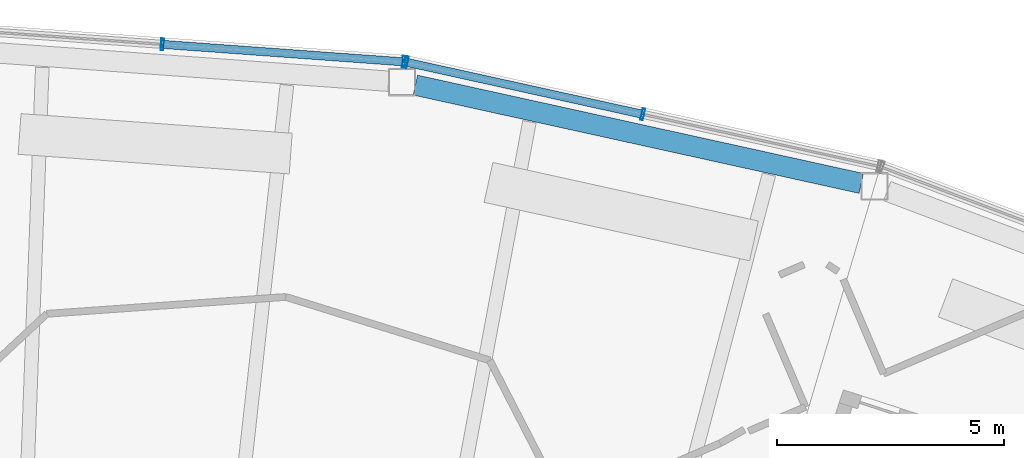
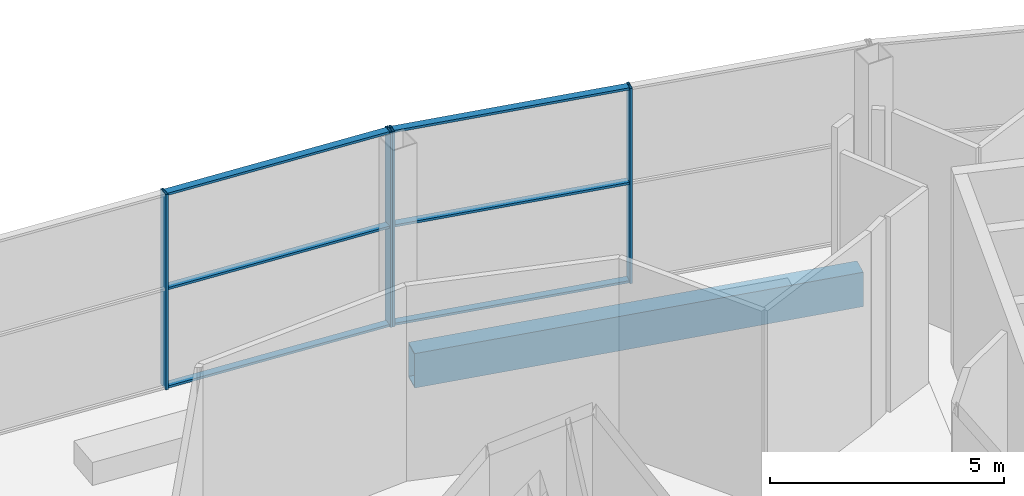
# One storey, part 29 of 43: 10 members, 1 beam, 2 elements without a shape of their own.
"""IFC4 building model written with IfcOpenShell, lengths in metres."""

from ifc_helpers import new_model, si_unit, direction, frame, origin, origin_2d, place, context, subcontext, project, spatial, hollow_rectangle, extrude, material, layer, layer_set, material_profile, profile_set, type_object, element, aggregate, save


model = new_model("IFC4")

# Units and contexts
model_context = context("Model", 3, precision=1e-05, world=origin(), true_north=direction((0.0, 1.0)))
body_context = subcontext(model_context, "Body", "Model", "MODEL_VIEW")
ifc_project = project(units=[si_unit("LENGTHUNIT", "METRE"), si_unit("AREAUNIT", "SQUARE_METRE"), si_unit("VOLUMEUNIT", "CUBIC_METRE"), si_unit("PLANEANGLEUNIT", "RADIAN"), si_unit("MASSUNIT", "GRAM", prefix="KILO")], contexts=[model_context])

# Site, building, storey
site_placement = place(None, origin())
site = spatial("IfcSite", under=ifc_project, at=site_placement, CompositionType="ELEMENT")
building_placement = place(site_placement, origin())
building = spatial("IfcBuilding", under=site, at=building_placement, Name="Tuul Gate Civic Tower", CompositionType="ELEMENT")
storey_placement = place(building_placement, frame((0.0, 0.0, 349.10009765625)))
storey = spatial("IfcBuildingStorey", under=building, at=storey_placement, Name="Observation level 1", CompositionType="ELEMENT", Elevation=349.10009765625)

# Curtain wall, members
ifc_material_1 = material(Name="Stainless steel", Category="steel")
ifc_layer = layer(ifc_material_1, 0.199951171875)
ifc_layer_set = layer_set([ifc_layer], Name="Stainless steel")
curtain_wall_type = type_object("IfcCurtainWallType", Name="Curtain wall CW4", PredefinedType="NOTDEFINED", material=ifc_layer_set)
curtain_wall_1_placement = place(storey_placement, origin())
curtain_wall_1 = element("IfcCurtainWall", 1, at=curtain_wall_1_placement, inside=storey, type_object=curtain_wall_type, Name="Curtain wall CW4", PredefinedType="NOTDEFINED")
ifc_material_2 = material(Name="Stainless steel", Category="steel")
ifc_material_profile_1 = material_profile(ifc_material_2, hollow_rectangle(XDim=0.260009765625, YDim=0.06005859375, WallThickness=0.006103515625, at=origin_2d()), Name="CW4 mullion")
ifc_profile_set_1 = profile_set([ifc_material_profile_1], Name="Stainless steel")
member_type_1 = type_object("IfcMemberType", Name="CW4 mullion", PredefinedType="MULLION", material=ifc_profile_set_1)
member_1_placement = place(storey_placement, frame((18.151611328125, 12.346923828125, 0.0), z_axis=(0.0, 0.0, 1.0), x_axis=(-0.215215147882, -0.976566659334, 0.0)))
member_1 = element("IfcMember", 2, at=member_1_placement, type_object=member_type_1, Name="Mullion", PredefinedType="MULLION", context=body_context, shape_type="SweptSolid", body=[
    extrude(hollow_rectangle(XDim=0.260009765625, YDim=0.06005859375, WallThickness=0.006103515625, at=origin_2d()), origin(), (0.0, 0.0, 1.0), 5.099853515625),
])
member_2_placement = place(storey_placement, frame((12.935302734375, 13.49658203125, 0.0), z_axis=(0.0, 0.0, 1.0), x_axis=(-0.215215147882, -0.976566659334, 0.0)))
member_2 = element("IfcMember", 3, at=member_2_placement, type_object=member_type_1, Name="Mullion", PredefinedType="MULLION", context=body_context, shape_type="SweptSolid", body=[
    extrude(hollow_rectangle(XDim=0.260009765625, YDim=0.06005859375, WallThickness=0.006103515625, at=origin_2d()), origin(), (0.0, 0.0, 1.0), 5.099853515625),
])

curtain_wall_2_placement = place(storey_placement, origin())
curtain_wall_2 = element("IfcCurtainWall", 4, at=curtain_wall_2_placement, inside=storey, type_object=curtain_wall_type, Name="Curtain wall CW4", PredefinedType="NOTDEFINED")
member_3_placement = place(storey_placement, frame((12.8759765625, 13.505126953125, 0.0), z_axis=(0.0, 0.0, 1.0), x_axis=(-0.07223936563, -0.997387323989, 0.0)))
member_3 = element("IfcMember", 5, at=member_3_placement, type_object=member_type_1, Name="Mullion", PredefinedType="MULLION", context=body_context, shape_type="SweptSolid", body=[
    extrude(hollow_rectangle(XDim=0.260009765625, YDim=0.06005859375, WallThickness=0.006103515625, at=origin_2d()), origin(), (0.0, 0.0, 1.0), 5.099853515625),
])
member_4_placement = place(storey_placement, frame((7.549072265625, 13.89111328125, 0.0), z_axis=(0.0, 0.0, 1.0), x_axis=(-0.07223936563, -0.997387323989, 0.0)))
member_4 = element("IfcMember", 6, at=member_4_placement, type_object=member_type_1, Name="Mullion", PredefinedType="MULLION", context=body_context, shape_type="SweptSolid", body=[
    extrude(hollow_rectangle(XDim=0.260009765625, YDim=0.06005859375, WallThickness=0.006103515625, at=origin_2d()), origin(), (0.0, 0.0, 1.0), 5.099853515625),
])

# Member
ifc_material_3 = material(Name="Stainless steel", Category="steel")
ifc_material_profile_2 = material_profile(ifc_material_3, hollow_rectangle(XDim=0.179931640625, YDim=0.06005859375, WallThickness=0.006103515625, at=origin_2d()), Name="CW4 transom")
ifc_profile_set_2 = profile_set([ifc_material_profile_2], Name="Stainless steel")
member_type_2 = type_object("IfcMemberType", Name="CW4 transom", PredefinedType="USERDEFINED", material=ifc_profile_set_2)
member_5_placement = place(storey_placement, frame((18.122314453125, 12.353515625, 0.02978515625), z_axis=(-0.976573796049, 0.215182761555, 0.0), x_axis=(-0.215182761555, -0.976573796049, 0.0)))
member_5 = element("IfcMember", 7, at=member_5_placement, type_object=member_type_2, Name="Transom", ObjectType="TRANSOM", PredefinedType="USERDEFINED", context=body_context, shape_type="SweptSolid", body=[
    extrude(hollow_rectangle(XDim=0.179931640625, YDim=0.06005859375, WallThickness=0.006103515625, at=origin_2d()), origin(), (0.0, 0.0, 1.0), 5.281494140625),
])

member_6_placement = place(storey_placement, frame((18.122314453125, 12.353515625, 2.599853515625), z_axis=(-0.976573796049, 0.215182761555, 0.0), x_axis=(-0.215182761555, -0.976573796049, 0.0)))
member_6 = element("IfcMember", 8, at=member_6_placement, type_object=member_type_2, Name="Transom", ObjectType="TRANSOM", PredefinedType="USERDEFINED", context=body_context, shape_type="SweptSolid", body=[
    extrude(hollow_rectangle(XDim=0.179931640625, YDim=0.06005859375, WallThickness=0.006103515625, at=origin_2d()), origin(), (0.0, 0.0, 1.0), 5.281494140625),
])

member_7_placement = place(storey_placement, frame((18.122314453125, 12.353515625, 5.06982421875), z_axis=(-0.976573796049, 0.215182761555, 0.0), x_axis=(-0.215182761555, -0.976573796049, 0.0)))
member_7 = element("IfcMember", 9, at=member_7_placement, type_object=member_type_2, Name="Transom", ObjectType="TRANSOM", PredefinedType="USERDEFINED", context=body_context, shape_type="SweptSolid", body=[
    extrude(hollow_rectangle(XDim=0.179931640625, YDim=0.06005859375, WallThickness=0.006103515625, at=origin_2d()), origin(), (0.0, 0.0, 1.0), 5.281494140625),
])

aggregate(curtain_wall_1, [member_1, member_2, member_5, member_6, member_7])

member_8_placement = place(storey_placement, frame((12.84619140625, 13.50732421875, 0.02978515625), z_axis=(-0.997386148092, 0.072255599048, 0.0), x_axis=(-0.072255599048, -0.997386148092, 0.0)))
member_8 = element("IfcMember", 10, at=member_8_placement, type_object=member_type_2, Name="Transom", ObjectType="TRANSOM", PredefinedType="USERDEFINED", context=body_context, shape_type="SweptSolid", body=[
    extrude(hollow_rectangle(XDim=0.179931640625, YDim=0.06005859375, WallThickness=0.006103515625, at=origin_2d()), origin(), (0.0, 0.0, 1.0), 5.28125),
])

member_9_placement = place(storey_placement, frame((12.84619140625, 13.50732421875, 2.599853515625), z_axis=(-0.997386148092, 0.072255599048, 0.0), x_axis=(-0.072255599048, -0.997386148092, 0.0)))
member_9 = element("IfcMember", 11, at=member_9_placement, type_object=member_type_2, Name="Transom", ObjectType="TRANSOM", PredefinedType="USERDEFINED", context=body_context, shape_type="SweptSolid", body=[
    extrude(hollow_rectangle(XDim=0.179931640625, YDim=0.06005859375, WallThickness=0.006103515625, at=origin_2d()), origin(), (0.0, 0.0, 1.0), 5.28125),
])

member_10_placement = place(storey_placement, frame((12.84619140625, 13.50732421875, 5.06982421875), z_axis=(-0.997386148092, 0.072255599048, 0.0), x_axis=(-0.072255599048, -0.997386148092, 0.0)))
member_10 = element("IfcMember", 12, at=member_10_placement, type_object=member_type_2, Name="Transom", ObjectType="TRANSOM", PredefinedType="USERDEFINED", context=body_context, shape_type="SweptSolid", body=[
    extrude(hollow_rectangle(XDim=0.179931640625, YDim=0.06005859375, WallThickness=0.006103515625, at=origin_2d()), origin(), (0.0, 0.0, 1.0), 5.28125),
])

aggregate(curtain_wall_2, [member_3, member_4, member_8, member_9, member_10])

# Beam
ifc_material_4 = material(Name="Steel S355", Category="steel")
ifc_material_profile_3 = material_profile(ifc_material_4, hollow_rectangle(XDim=0.449951171875, YDim=0.89990234375, WallThickness=0.02490234375, at=origin_2d()), Name="BOX900x450x25")
ifc_profile_set_3 = profile_set([ifc_material_profile_3], Name="Steel S355")
beam_type = type_object("IfcBeamType", Name="STR-SPANDREL BEAM-BOX900x450x25", PredefinedType="BEAM", material=ifc_profile_set_3)
beam_placement = place(storey_placement, frame((22.97607421875, 10.822509765625, -0.85009765625), z_axis=(-0.97656744164, 0.215211598034, 0.0), x_axis=(-0.215211598034, -0.97656744164, 0.0)))
element("IfcBeam", 13, at=beam_placement, inside=storey, type_object=beam_type, Name="Spandrel beam", PredefinedType="BEAM", context=body_context, shape_type="SweptSolid", body=[
    extrude(hollow_rectangle(XDim=0.449951171875, YDim=0.89990234375, WallThickness=0.02490234375, at=origin_2d()), origin(), (0.0, 0.0, 1.0), 10.078125),
])

save(model, "model.ifc")
